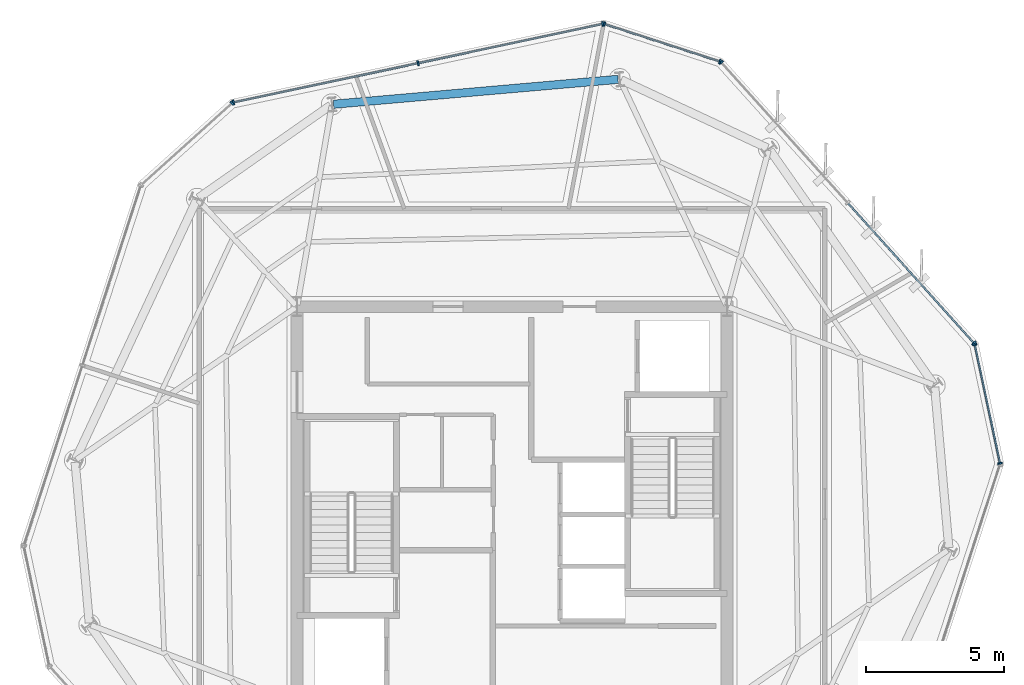
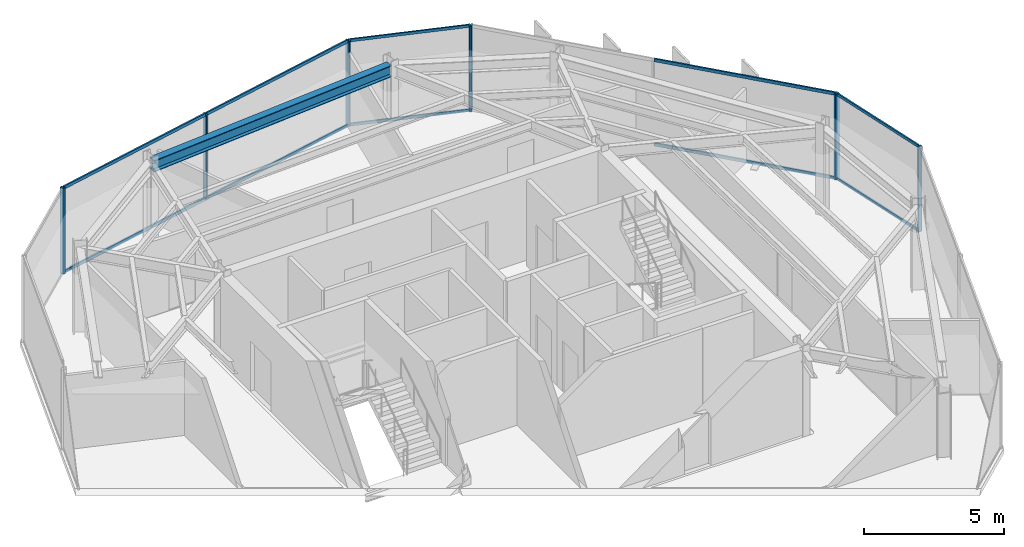
# One storey, part 6 of 13: 20 members, 1 beam, 5 elements without a shape of their own.
"""IFC4 building model written with IfcOpenShell, lengths in metres."""

from ifc_helpers import new_model, si_unit, direction, frame, origin, origin_2d, place, context, subcontext, project, spatial, rectangle, i_section, extrude, material, layer, layer_set, material_profile, profile_set, type_object, element, aggregate, save


model = new_model("IFC4")

# Units and contexts
model_context = context("Model", 3, precision=1e-05, world=origin(), true_north=direction((0.0, 1.0)))
body_context = subcontext(model_context, "Body", "Model", "MODEL_VIEW")
ifc_project = project(units=[si_unit("LENGTHUNIT", "METRE"), si_unit("AREAUNIT", "SQUARE_METRE"), si_unit("VOLUMEUNIT", "CUBIC_METRE"), si_unit("PLANEANGLEUNIT", "RADIAN"), si_unit("MASSUNIT", "GRAM", prefix="KILO")], contexts=[model_context])

# Site, building, storey
site_placement = place(None, origin())
site = spatial("IfcSite", under=ifc_project, at=site_placement, CompositionType="ELEMENT")
building_placement = place(site_placement, origin())
building = spatial("IfcBuilding", under=site, at=building_placement, Name="Kranzbogen Civic Tower", CompositionType="ELEMENT")
storey_placement = place(building_placement, frame((0.0, 0.0, 314.199951171875)))
storey = spatial("IfcBuildingStorey", under=building, at=storey_placement, Name="L76", CompositionType="ELEMENT", Elevation=314.199951171875)

# Curtain wall, member
ifc_material_1 = material(Name="Pale Anodised Aluminium", Category="aluminium")
ifc_layer_1 = layer(ifc_material_1, 0.219970703125, Name="Pale Anodised Aluminium")
ifc_layer_set_1 = layer_set([ifc_layer_1], Name="Pale Anodised Aluminium")
curtain_wall_type_1 = type_object("IfcCurtainWallType", Name="Chamfer Facet Stick Curtain Wall System CW-06", PredefinedType="USERDEFINED", material=ifc_layer_set_1)
curtain_wall_1_placement = place(storey_placement, origin())
curtain_wall_1 = element("IfcCurtainWall", 1, at=curtain_wall_1_placement, inside=storey, type_object=curtain_wall_type_1, Name="L76 curtain wall CW-L76-C1", ObjectType="STICK CURTAIN WALL", PredefinedType="USERDEFINED")
ifc_material_profile_1 = material_profile(ifc_material_1, rectangle(XDim=0.06005859375, YDim=0.159912109375, at=origin_2d()), Name="ALU-M 60x160")
ifc_profile_set_1 = profile_set([ifc_material_profile_1], Name="Pale Anodised Aluminium")
member_type_1 = type_object("IfcMemberType", Name="Curtain Wall Mullion ALU-M 60x160", PredefinedType="MULLION", material=ifc_profile_set_1)
member_1_placement = place(storey_placement, frame((14.837646484375, 39.577880859375, 0.0), z_axis=(0.0, 0.0, 1.0), x_axis=(-0.743205037915, -0.669063727621, 0.0)))
member_1 = element("IfcMember", 2, at=member_1_placement, type_object=member_type_1, Name="CW-06 mullion 1", PredefinedType="MULLION", context=body_context, shape_type="SweptSolid", body=[
    extrude(rectangle(XDim=0.06005859375, YDim=0.159912109375, at=origin_2d()), origin(), (0.0, 0.0, 1.0), 3.739990234375),
])
aggregate(curtain_wall_1, [member_1])

# Curtain wall, members
curtain_wall_2_placement = place(storey_placement, origin())
curtain_wall_2 = element("IfcCurtainWall", 3, at=curtain_wall_2_placement, inside=storey, type_object=curtain_wall_type_1, Name="L76 curtain wall CW-L76-C5", ObjectType="STICK CURTAIN WALL", PredefinedType="USERDEFINED")
member_2_placement = place(storey_placement, frame((42.705810546875, 26.51123046875, 0.0), z_axis=(0.0, 0.0, 1.0), x_axis=(-0.207815902792, 0.978167956205, 0.0)))
member_2 = element("IfcMember", 4, at=member_2_placement, type_object=member_type_1, Name="CW-06 mullion 1", PredefinedType="MULLION", context=body_context, shape_type="SweptSolid", body=[
    extrude(rectangle(XDim=0.06005859375, YDim=0.159912109375, at=origin_2d()), origin(), (0.0, 0.0, 1.0), 3.739990234375),
])
member_3_placement = place(storey_placement, frame((41.790283203125, 30.820556640625, 0.0), z_axis=(0.0, 0.0, 1.0), x_axis=(-0.207815902792, 0.978167956205, 0.0)))
member_3 = element("IfcMember", 5, at=member_3_placement, type_object=member_type_1, Name="CW-06 mullion 2", PredefinedType="MULLION", context=body_context, shape_type="SweptSolid", body=[
    extrude(rectangle(XDim=0.06005859375, YDim=0.159912109375, at=origin_2d()), origin(), (0.0, 0.0, 1.0), 3.739990234375),
])

curtain_wall_3_placement = place(storey_placement, origin())
curtain_wall_3 = element("IfcCurtainWall", 6, at=curtain_wall_3_placement, inside=storey, type_object=curtain_wall_type_1, Name="L76 curtain wall CW-L76-C6", ObjectType="STICK CURTAIN WALL", PredefinedType="USERDEFINED")
member_4_placement = place(storey_placement, frame((32.54345703125, 41.08935546875, 0.0), z_axis=(0.0, 0.0, 1.0), x_axis=(-0.951030776673, 0.309096201564, 0.0)))
member_4 = element("IfcMember", 7, at=member_4_placement, type_object=member_type_1, Name="CW-06 mullion 1", PredefinedType="MULLION", context=body_context, shape_type="SweptSolid", body=[
    extrude(rectangle(XDim=0.06005859375, YDim=0.159912109375, at=origin_2d()), origin(), (0.0, 0.0, 1.0), 3.739990234375),
])
member_5_placement = place(storey_placement, frame((28.3544921875, 42.45068359375, 0.0), z_axis=(0.0, 0.0, 1.0), x_axis=(-0.951030776673, 0.309096201564, 0.0)))
member_5 = element("IfcMember", 8, at=member_5_placement, type_object=member_type_1, Name="CW-06 mullion 2", PredefinedType="MULLION", context=body_context, shape_type="SweptSolid", body=[
    extrude(rectangle(XDim=0.06005859375, YDim=0.159912109375, at=origin_2d()), origin(), (0.0, 0.0, 1.0), 3.739990234375),
])

ifc_layer_2 = layer(ifc_material_1, 0.219970703125, Name="Pale Anodised Aluminium")
ifc_layer_set_2 = layer_set([ifc_layer_2], Name="Pale Anodised Aluminium")
curtain_wall_type_2 = type_object("IfcCurtainWallType", Name="Zone 4 Stick Curtain Wall System CW-05", PredefinedType="USERDEFINED", material=ifc_layer_set_2)
curtain_wall_4_placement = place(storey_placement, origin())
curtain_wall_4 = element("IfcCurtainWall", 9, at=curtain_wall_4_placement, inside=storey, type_object=curtain_wall_type_2, Name="L76 curtain wall CW-L76-F1", ObjectType="STICK CURTAIN WALL", PredefinedType="USERDEFINED")
ifc_material_profile_2 = material_profile(ifc_material_1, rectangle(XDim=0.06494140625, YDim=0.179931640625, at=origin_2d()), Name="ALU-M 65x180")
ifc_profile_set_2 = profile_set([ifc_material_profile_2], Name="Pale Anodised Aluminium")
member_type_2 = type_object("IfcMemberType", Name="Curtain Wall Mullion ALU-M 65x180", PredefinedType="MULLION", material=ifc_profile_set_2)
member_6_placement = place(storey_placement, frame((28.296630859375, 42.453857421875, 0.0), z_axis=(0.0, 0.0, 1.0), x_axis=(-0.978151835177, -0.207891768333, 0.0)))
member_6 = element("IfcMember", 10, at=member_6_placement, type_object=member_type_2, Name="CW-05 mullion 1", PredefinedType="MULLION", context=body_context, shape_type="SweptSolid", body=[
    extrude(rectangle(XDim=0.06494140625, YDim=0.179931640625, at=origin_2d()), origin(), (0.0, 0.0, 1.0), 3.739990234375),
])
member_7_placement = place(storey_placement, frame((21.593017578125, 41.029052734375, 0.0), z_axis=(0.0, 0.0, 1.0), x_axis=(-0.978151835177, -0.207891768333, 0.0)))
member_7 = element("IfcMember", 11, at=member_7_placement, type_object=member_type_2, Name="CW-05 mullion 2", PredefinedType="MULLION", context=body_context, shape_type="SweptSolid", body=[
    extrude(rectangle(XDim=0.06494140625, YDim=0.179931640625, at=origin_2d()), origin(), (0.0, 0.0, 1.0), 3.739990234375),
])
member_8_placement = place(storey_placement, frame((14.889404296875, 39.604248046875, 0.0), z_axis=(0.0, 0.0, 1.0), x_axis=(-0.978151835177, -0.207891768333, 0.0)))
member_8 = element("IfcMember", 12, at=member_8_placement, type_object=member_type_2, Name="CW-05 mullion 3", PredefinedType="MULLION", context=body_context, shape_type="SweptSolid", body=[
    extrude(rectangle(XDim=0.06494140625, YDim=0.179931640625, at=origin_2d()), origin(), (0.0, 0.0, 1.0), 3.739990234375),
])

curtain_wall_5_placement = place(storey_placement, origin())
curtain_wall_5 = element("IfcCurtainWall", 13, at=curtain_wall_5_placement, inside=storey, type_object=curtain_wall_type_2, Name="L76 curtain wall CW-L76-F6", ObjectType="STICK CURTAIN WALL", PredefinedType="USERDEFINED")
member_9_placement = place(storey_placement, frame((41.763916015625, 30.872314453125, 0.0), z_axis=(0.0, 0.0, 1.0), x_axis=(-0.669165371932, 0.743113520943, 0.0)))
member_9 = element("IfcMember", 14, at=member_9_placement, type_object=member_type_2, Name="CW-05 mullion 1", PredefinedType="MULLION", context=body_context, shape_type="SweptSolid", body=[
    extrude(rectangle(XDim=0.06494140625, YDim=0.179931640625, at=origin_2d()), origin(), (0.0, 0.0, 1.0), 3.739990234375),
])
member_10_placement = place(storey_placement, frame((32.592041015625, 41.0576171875, 0.0), z_axis=(0.0, 0.0, 1.0), x_axis=(-0.669165371932, 0.743113520943, 0.0)))
member_10 = element("IfcMember", 15, at=member_10_placement, type_object=member_type_2, Name="CW-05 mullion 3", PredefinedType="MULLION", context=body_context, shape_type="SweptSolid", body=[
    extrude(rectangle(XDim=0.06494140625, YDim=0.179931640625, at=origin_2d()), origin(), (0.0, 0.0, 1.0), 3.739990234375),
])

# Member
ifc_material_profile_3 = material_profile(ifc_material_1, rectangle(XDim=0.06005859375, YDim=0.1201171875, at=origin_2d()), Name="ALU-T 60x120")
ifc_profile_set_3 = profile_set([ifc_material_profile_3], Name="Pale Anodised Aluminium")
member_type_3 = type_object("IfcMemberType", Name="Curtain Wall Transom ALU-T 60x120", PredefinedType="USERDEFINED", material=ifc_profile_set_3)
member_11_placement = place(storey_placement, frame((42.699462890625, 26.540771484375, 0.030029296875), z_axis=(-0.207825157763, 0.978165989902, 0.0), x_axis=(-0.978165989902, -0.207825157763, 0.0)))
member_11 = element("IfcMember", 16, at=member_11_placement, type_object=member_type_3, Name="CW-06 transom 1.1", ObjectType="TRANSOM", PredefinedType="USERDEFINED", context=body_context, shape_type="SweptSolid", body=[
    extrude(rectangle(XDim=0.06005859375, YDim=0.1201171875, at=origin_2d()), origin(), (0.0, 0.0, 1.0), 4.345458984375),
])

member_12_placement = place(storey_placement, frame((42.699462890625, 26.540771484375, 3.7099609375), z_axis=(-0.207825157763, 0.978165989902, 0.0), x_axis=(-0.978165989902, -0.207825157763, 0.0)))
member_12 = element("IfcMember", 17, at=member_12_placement, type_object=member_type_3, Name="CW-06 transom 1.2", ObjectType="TRANSOM", PredefinedType="USERDEFINED", context=body_context, shape_type="SweptSolid", body=[
    extrude(rectangle(XDim=0.06005859375, YDim=0.1201171875, at=origin_2d()), origin(), (0.0, 0.0, 1.0), 4.345458984375),
])

aggregate(curtain_wall_2, [member_2, member_3, member_11, member_12])

member_13_placement = place(storey_placement, frame((32.514892578125, 41.0986328125, 0.030029296875), z_axis=(-0.951039024161, 0.309070824444, 0.0), x_axis=(-0.309070824444, -0.951039024161, 0.0)))
member_13 = element("IfcMember", 18, at=member_13_placement, type_object=member_type_3, Name="CW-06 transom 1.1", ObjectType="TRANSOM", PredefinedType="USERDEFINED", context=body_context, shape_type="SweptSolid", body=[
    extrude(rectangle(XDim=0.06005859375, YDim=0.1201171875, at=origin_2d()), origin(), (0.0, 0.0, 1.0), 4.344482421875),
])

member_14_placement = place(storey_placement, frame((32.514892578125, 41.0986328125, 3.7099609375), z_axis=(-0.951039024161, 0.309070824444, 0.0), x_axis=(-0.309070824444, -0.951039024161, 0.0)))
member_14 = element("IfcMember", 19, at=member_14_placement, type_object=member_type_3, Name="CW-06 transom 1.2", ObjectType="TRANSOM", PredefinedType="USERDEFINED", context=body_context, shape_type="SweptSolid", body=[
    extrude(rectangle(XDim=0.06005859375, YDim=0.1201171875, at=origin_2d()), origin(), (0.0, 0.0, 1.0), 4.344482421875),
])

aggregate(curtain_wall_3, [member_4, member_5, member_13, member_14])

ifc_material_profile_4 = material_profile(ifc_material_1, rectangle(XDim=0.06494140625, YDim=0.135009765625, at=origin_2d()), Name="ALU-T 65x135")
ifc_profile_set_4 = profile_set([ifc_material_profile_4], Name="Pale Anodised Aluminium")
member_type_4 = type_object("IfcMemberType", Name="Curtain Wall Transom ALU-T 65x135", PredefinedType="USERDEFINED", material=ifc_profile_set_4)
member_15_placement = place(storey_placement, frame((28.267333984375, 42.447509765625, 0.030029296875), z_axis=(-0.978150264596, -0.207899157936, 0.0), x_axis=(0.207899157936, -0.978150264596, 0.0)))
member_15 = element("IfcMember", 20, at=member_15_placement, type_object=member_type_4, Name="CW-05 transom 1.1", ObjectType="TRANSOM", PredefinedType="USERDEFINED", context=body_context, shape_type="SweptSolid", body=[
    extrude(rectangle(XDim=0.06494140625, YDim=0.135009765625, at=origin_2d()), origin(), (0.0, 0.0, 1.0), 6.79345703125),
])

member_16_placement = place(storey_placement, frame((28.267333984375, 42.447509765625, 3.7099609375), z_axis=(-0.978150264596, -0.207899157936, 0.0), x_axis=(0.207899157936, -0.978150264596, 0.0)))
member_16 = element("IfcMember", 21, at=member_16_placement, type_object=member_type_4, Name="CW-05 transom 1.2", ObjectType="TRANSOM", PredefinedType="USERDEFINED", context=body_context, shape_type="SweptSolid", body=[
    extrude(rectangle(XDim=0.06494140625, YDim=0.135009765625, at=origin_2d()), origin(), (0.0, 0.0, 1.0), 6.79345703125),
])

member_17_placement = place(storey_placement, frame((21.563720703125, 41.022705078125, 0.030029296875), z_axis=(-0.978150264596, -0.207899157936, 0.0), x_axis=(0.207899157936, -0.978150264596, 0.0)))
member_17 = element("IfcMember", 22, at=member_17_placement, type_object=member_type_4, Name="CW-05 transom 2.1", ObjectType="TRANSOM", PredefinedType="USERDEFINED", context=body_context, shape_type="SweptSolid", body=[
    extrude(rectangle(XDim=0.06494140625, YDim=0.135009765625, at=origin_2d()), origin(), (0.0, 0.0, 1.0), 6.79345703125),
])

member_18_placement = place(storey_placement, frame((21.563720703125, 41.022705078125, 3.7099609375), z_axis=(-0.978150264596, -0.207899157936, 0.0), x_axis=(0.207899157936, -0.978150264596, 0.0)))
member_18 = element("IfcMember", 23, at=member_18_placement, type_object=member_type_4, Name="CW-05 transom 2.2", ObjectType="TRANSOM", PredefinedType="USERDEFINED", context=body_context, shape_type="SweptSolid", body=[
    extrude(rectangle(XDim=0.06494140625, YDim=0.135009765625, at=origin_2d()), origin(), (0.0, 0.0, 1.0), 6.79345703125),
])

aggregate(curtain_wall_4, [member_6, member_7, member_8, member_15, member_16, member_17, member_18])

member_19_placement = place(storey_placement, frame((41.743896484375, 30.89453125, 0.030029296875), z_axis=(-0.669177159139, 0.743102906526, 0.0), x_axis=(-0.743102906526, -0.669177159139, 0.0)))
member_19 = element("IfcMember", 24, at=member_19_placement, type_object=member_type_4, Name="CW-05 transom 1.1", ObjectType="TRANSOM", PredefinedType="USERDEFINED", context=body_context, shape_type="SweptSolid", body=[
    extrude(rectangle(XDim=0.06494140625, YDim=0.135009765625, at=origin_2d()), origin(), (0.0, 0.0, 1.0), 6.793212890625),
])

member_20_placement = place(storey_placement, frame((41.743896484375, 30.89453125, 3.7099609375), z_axis=(-0.669177159139, 0.743102906526, 0.0), x_axis=(-0.743102906526, -0.669177159139, 0.0)))
member_20 = element("IfcMember", 25, at=member_20_placement, type_object=member_type_4, Name="CW-05 transom 1.2", ObjectType="TRANSOM", PredefinedType="USERDEFINED", context=body_context, shape_type="SweptSolid", body=[
    extrude(rectangle(XDim=0.06494140625, YDim=0.135009765625, at=origin_2d()), origin(), (0.0, 0.0, 1.0), 6.793212890625),
])

aggregate(curtain_wall_5, [member_9, member_10, member_19, member_20])

# Beam
ifc_material_2 = material(Name="Steel S355", Category="steel")
ifc_material_profile_5 = material_profile(ifc_material_2, i_section(OverallWidth=0.300048828125, OverallDepth=0.5, WebThickness=0.014404296875, FlangeThickness=0.028076171875, at=origin_2d()), Name="HEB 500")
ifc_profile_set_5 = profile_set([ifc_material_profile_5], Name="Steel S355")
beam_type = type_object("IfcBeamType", Name="Perimeter Tube Spandrel Beam HEB 500", PredefinedType="SPANDREL", material=ifc_profile_set_5)
beam_placement = place(storey_placement, frame((28.84912109375, 40.445068359375, 3.489990234375), z_axis=(-0.996186373839, -0.087250837114, 0.0), x_axis=(0.087250837114, -0.996186373839, 0.0)))
element("IfcBeam", 26, at=beam_placement, inside=storey, type_object=beam_type, Name="L76 perimeter spandrel beam 09", PredefinedType="SPANDREL", context=body_context, shape_type="SweptSolid", body=[
    extrude(i_section(OverallWidth=0.300048828125, OverallDepth=0.5, WebThickness=0.014404296875, FlangeThickness=0.028076171875, at=origin_2d()), origin(), (0.0, 0.0, 1.0), 10.361572265625),
])

save(model, "model.ifc")
